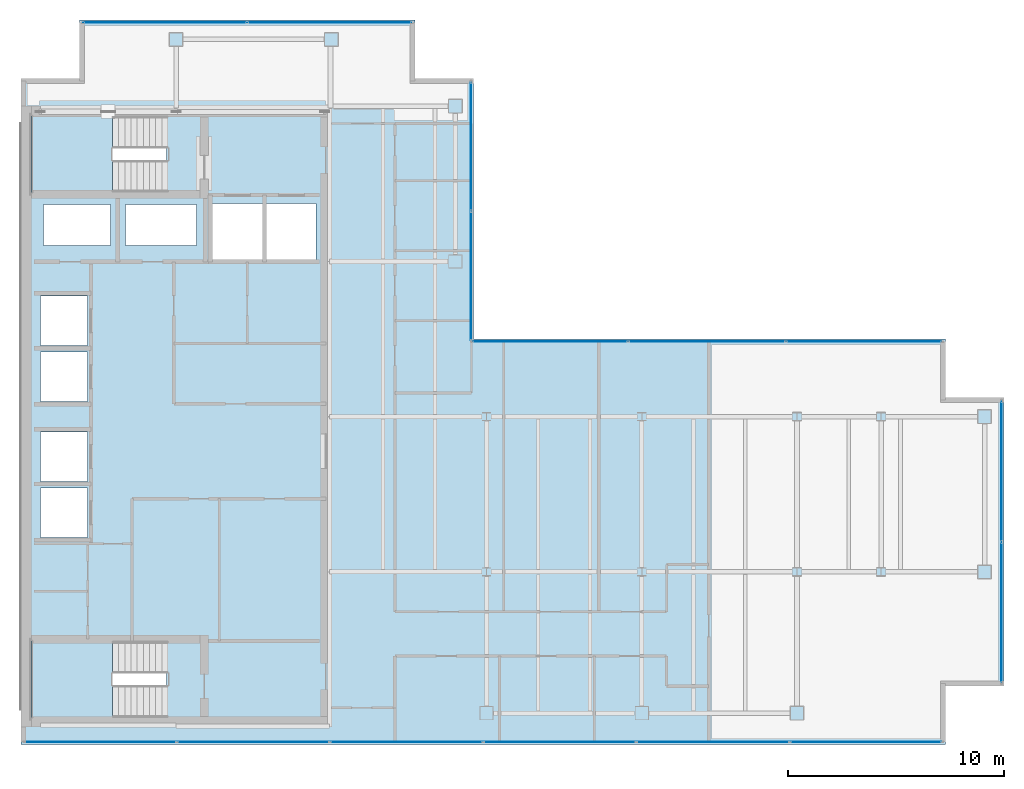
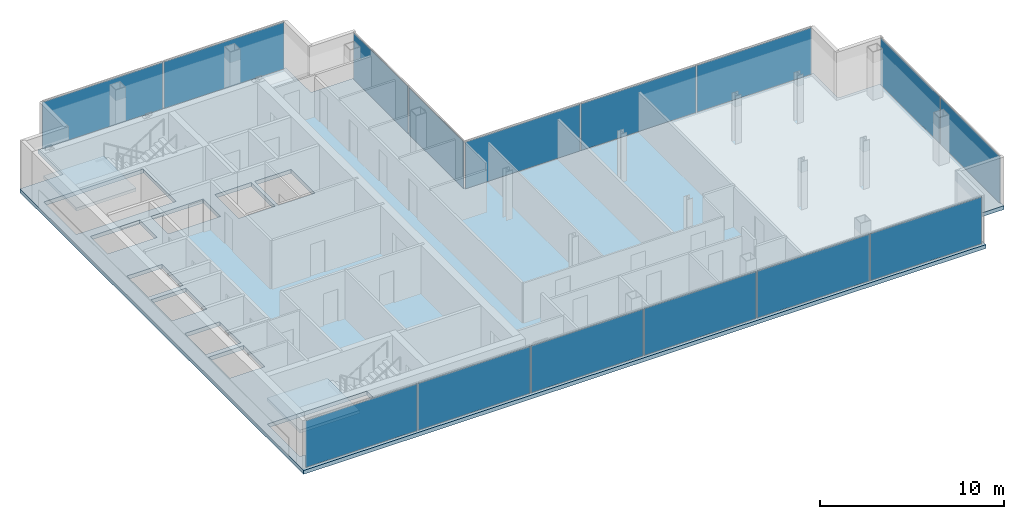
# One storey, part 19 of 23: 15 plates, 3 slabs, 10 openings, 7 elements without a shape of their own.
"""IFC4 building model written with IfcOpenShell, lengths in metres."""

from ifc_helpers import new_model, si_unit, direction, frame, origin, origin_2d, place, context, subcontext, project, spatial, polyline, rectangle, outline, extrude, material, layer, layer_set, type_object, element, aggregate, save


model = new_model("IFC4")

# Units and contexts
model_context = context("Model", 3, precision=1e-05, world=origin(), true_north=direction((0.0, 1.0)))
body_context = subcontext(model_context, "Body", "Model", "MODEL_VIEW")
ifc_project = project(units=[si_unit("LENGTHUNIT", "METRE"), si_unit("AREAUNIT", "SQUARE_METRE"), si_unit("VOLUMEUNIT", "CUBIC_METRE"), si_unit("PLANEANGLEUNIT", "RADIAN"), si_unit("MASSUNIT", "GRAM", prefix="KILO")], contexts=[model_context])

# Site, building, storey
site_placement = place(None, origin())
site = spatial("IfcSite", under=ifc_project, at=site_placement, CompositionType="ELEMENT")
building_placement = place(site_placement, origin())
building = spatial("IfcBuilding", under=site, at=building_placement, Name="Cobrela Telecom Tower", CompositionType="ELEMENT")
storey_placement = place(building_placement, frame((0.0, 0.0, 286.64990234375)))
storey = spatial("IfcBuildingStorey", under=building, at=storey_placement, Name="L75", CompositionType="ELEMENT", Elevation=286.64990234375)

# Curtain wall, plates
ifc_material_1 = material(Name="Anodized Bronze Aluminium 6063-T6", Category="aluminium")
curtain_wall_type = type_object("IfcCurtainWallType", Name="CW-SYS-OFF-HI", PredefinedType="USERDEFINED", material=ifc_material_1)
curtain_wall_1_placement = place(storey_placement, origin())
curtain_wall_1 = element("IfcCurtainWall", 1, at=curtain_wall_1_placement, inside=storey, type_object=curtain_wall_type, Name="L75 Unitised Bronze Curtain Wall 05", ObjectType="UNITISED CURTAIN WALL", PredefinedType="USERDEFINED")
ifc_material_2 = material(Name="Solar-Control Bronze Low-E Glass", Category="glass")
ifc_layer_1 = layer(ifc_material_2, 0.030029296875)
ifc_layer_set_1 = layer_set([ifc_layer_1], Name="Solar-Control Bronze Low-E Glass")
plate_type = type_object("IfcPlateType", Name="CW-SYS-OFF-HI-PNL", PredefinedType="CURTAIN_PANEL", material=ifc_layer_set_1)
plate_1_placement = place(storey_placement, frame((6.6826171875, 39.8798828125, 0.06494140625), z_axis=(0.0, 0.0, 1.0), x_axis=(1.0, 0.0, 0.0)))
plate_1 = element("IfcPlate", 2, at=plate_1_placement, type_object=plate_type, Name="CW-OFF-HI panel 1.1", PredefinedType="CURTAIN_PANEL", context=body_context, shape_type="SweptSolid", body=[
    extrude(rectangle(XDim=7.56494140625, YDim=0.030029296875, at=origin_2d()), origin(), (0.0, 0.0, 1.0), 3.110107421875),
])
plate_2_placement = place(storey_placement, frame((14.3173828125, 39.8798828125, 0.06494140625), z_axis=(0.0, 0.0, 1.0), x_axis=(1.0, 0.0, 0.0)))
plate_2 = element("IfcPlate", 3, at=plate_2_placement, type_object=plate_type, Name="CW-OFF-HI panel 2.1", PredefinedType="CURTAIN_PANEL", context=body_context, shape_type="SweptSolid", body=[
    extrude(rectangle(XDim=7.56494140625, YDim=0.030029296875, at=origin_2d()), origin(), (0.0, 0.0, 1.0), 3.110107421875),
])
aggregate(curtain_wall_1, [plate_1, plate_2])

curtain_wall_2_placement = place(storey_placement, origin())
curtain_wall_2 = element("IfcCurtainWall", 4, at=curtain_wall_2_placement, inside=storey, type_object=curtain_wall_type, Name="L75 Unitised Bronze Curtain Wall 08", ObjectType="UNITISED CURTAIN WALL", PredefinedType="USERDEFINED")
plate_3_placement = place(storey_placement, frame((20.8798828125, 34.1298828125, 0.06494140625), z_axis=(0.0, 0.0, 1.0), x_axis=(0.0, -1.0, 0.0)))
plate_3 = element("IfcPlate", 5, at=plate_3_placement, type_object=plate_type, Name="CW-OFF-HI panel 1.1", PredefinedType="CURTAIN_PANEL", context=body_context, shape_type="SweptSolid", body=[
    extrude(rectangle(XDim=5.93994140625, YDim=0.030029296875, at=origin_2d()), origin(), (0.0, 0.0, 1.0), 3.110107421875),
])
plate_4_placement = place(storey_placement, frame((20.8798828125, 28.1201171875, 0.06494140625), z_axis=(0.0, 0.0, 1.0), x_axis=(0.0, -1.0, 0.0)))
plate_4 = element("IfcPlate", 6, at=plate_4_placement, type_object=plate_type, Name="CW-OFF-HI panel 2.1", PredefinedType="CURTAIN_PANEL", context=body_context, shape_type="SweptSolid", body=[
    extrude(rectangle(XDim=5.93994140625, YDim=0.030029296875, at=origin_2d()), origin(), (0.0, 0.0, 1.0), 3.110107421875),
])
aggregate(curtain_wall_2, [plate_3, plate_4])

curtain_wall_3_placement = place(storey_placement, origin())
curtain_wall_3 = element("IfcCurtainWall", 7, at=curtain_wall_3_placement, inside=storey, type_object=curtain_wall_type, Name="L75 Unitised Bronze Curtain Wall 09", ObjectType="UNITISED CURTAIN WALL", PredefinedType="USERDEFINED")
plate_5_placement = place(storey_placement, frame((24.5458984375, 25.080078125, 0.06494140625), z_axis=(0.0, 0.0, 1.0), x_axis=(1.0, 0.0, 0.0)))
plate_5 = element("IfcPlate", 8, at=plate_5_placement, type_object=plate_type, Name="CW-OFF-HI panel 1.1", PredefinedType="CURTAIN_PANEL", context=body_context, shape_type="SweptSolid", body=[
    extrude(rectangle(XDim=7.191650390625, YDim=0.030029296875, at=origin_2d()), origin(), (0.0, 0.0, 1.0), 3.110107421875),
])
plate_6_placement = place(storey_placement, frame((31.824951171875, 25.080078125, 0.06494140625), z_axis=(0.0, 0.0, 1.0), x_axis=(1.0, 0.0, 0.0)))
plate_6 = element("IfcPlate", 9, at=plate_6_placement, type_object=plate_type, Name="CW-OFF-HI panel 2.1", PredefinedType="CURTAIN_PANEL", context=body_context, shape_type="SweptSolid", body=[
    extrude(rectangle(XDim=7.2265625, YDim=0.030029296875, at=origin_2d()), origin(), (0.0, 0.0, 1.0), 3.110107421875),
])
plate_7_placement = place(storey_placement, frame((39.104248046875, 25.080078125, 0.06494140625), z_axis=(0.0, 0.0, 1.0), x_axis=(1.0, 0.0, 0.0)))
plate_7 = element("IfcPlate", 10, at=plate_7_placement, type_object=plate_type, Name="CW-OFF-HI panel 3.1", PredefinedType="CURTAIN_PANEL", context=body_context, shape_type="SweptSolid", body=[
    extrude(rectangle(XDim=7.191650390625, YDim=0.030029296875, at=origin_2d()), origin(), (0.0, 0.0, 1.0), 3.110107421875),
])
aggregate(curtain_wall_3, [plate_5, plate_6, plate_7])

curtain_wall_4_placement = place(storey_placement, origin())
curtain_wall_4 = element("IfcCurtainWall", 11, at=curtain_wall_4_placement, inside=storey, type_object=curtain_wall_type, Name="L75 Unitised Bronze Curtain Wall 12", ObjectType="UNITISED CURTAIN WALL", PredefinedType="USERDEFINED")
plate_8_placement = place(storey_placement, frame((45.47998046875, 19.0673828125, 0.06494140625), z_axis=(0.0, 0.0, 1.0), x_axis=(0.0, -1.0, 0.0)))
plate_8 = element("IfcPlate", 12, at=plate_8_placement, type_object=plate_type, Name="CW-OFF-HI panel 1.1", PredefinedType="CURTAIN_PANEL", context=body_context, shape_type="SweptSolid", body=[
    extrude(rectangle(XDim=6.465087890625, YDim=0.030029296875, at=origin_2d()), origin(), (0.0, 0.0, 1.0), 3.110107421875),
])
plate_9_placement = place(storey_placement, frame((45.47998046875, 12.532470703125, 0.06494140625), z_axis=(0.0, 0.0, 1.0), x_axis=(0.0, -1.0, 0.0)))
plate_9 = element("IfcPlate", 13, at=plate_9_placement, type_object=plate_type, Name="CW-OFF-HI panel 2.1", PredefinedType="CURTAIN_PANEL", context=body_context, shape_type="SweptSolid", body=[
    extrude(rectangle(XDim=6.465087890625, YDim=0.030029296875, at=origin_2d()), origin(), (0.0, 0.0, 1.0), 3.110107421875),
])
aggregate(curtain_wall_4, [plate_8, plate_9])

curtain_wall_5_placement = place(storey_placement, origin())
curtain_wall_5 = element("IfcCurtainWall", 14, at=curtain_wall_5_placement, inside=storey, type_object=curtain_wall_type, Name="L75 Unitised Bronze Curtain Wall 15", ObjectType="UNITISED CURTAIN WALL", PredefinedType="USERDEFINED")
plate_10_placement = place(storey_placement, frame((39.1982421875, 6.52001953125, 0.06494140625), z_axis=(0.0, 0.0, 1.0), x_axis=(-1.0, 0.0, 0.0)))
plate_10 = element("IfcPlate", 15, at=plate_10_placement, type_object=plate_type, Name="CW-OFF-HI panel 1.1", PredefinedType="CURTAIN_PANEL", context=body_context, shape_type="SweptSolid", body=[
    extrude(rectangle(XDim=7.00341796875, YDim=0.030029296875, at=origin_2d()), origin(), (0.0, 0.0, 1.0), 3.110107421875),
])
plate_11_placement = place(storey_placement, frame((32.107421875, 6.52001953125, 0.06494140625), z_axis=(0.0, 0.0, 1.0), x_axis=(-1.0, 0.0, 0.0)))
plate_11 = element("IfcPlate", 16, at=plate_11_placement, type_object=plate_type, Name="CW-OFF-HI panel 2.1", PredefinedType="CURTAIN_PANEL", context=body_context, shape_type="SweptSolid", body=[
    extrude(rectangle(XDim=7.038330078125, YDim=0.030029296875, at=origin_2d()), origin(), (0.0, 0.0, 1.0), 3.110107421875),
])
plate_12_placement = place(storey_placement, frame((24.999267578125, 6.52001953125, 0.06494140625), z_axis=(0.0, 0.0, 1.0), x_axis=(-1.0, 0.0, 0.0)))
plate_12 = element("IfcPlate", 17, at=plate_12_placement, type_object=plate_type, Name="CW-OFF-HI panel 3.1", PredefinedType="CURTAIN_PANEL", context=body_context, shape_type="SweptSolid", body=[
    extrude(rectangle(XDim=7.038330078125, YDim=0.030029296875, at=origin_2d()), origin(), (0.0, 0.0, 1.0), 3.110107421875),
])
plate_13_placement = place(storey_placement, frame((17.890869140625, 6.52001953125, 0.06494140625), z_axis=(0.0, 0.0, 1.0), x_axis=(-1.0, 0.0, 0.0)))
plate_13 = element("IfcPlate", 18, at=plate_13_placement, type_object=plate_type, Name="CW-OFF-HI panel 4.1", PredefinedType="CURTAIN_PANEL", context=body_context, shape_type="SweptSolid", body=[
    extrude(rectangle(XDim=7.038330078125, YDim=0.030029296875, at=origin_2d()), origin(), (0.0, 0.0, 1.0), 3.110107421875),
])
plate_14_placement = place(storey_placement, frame((10.782470703125, 6.52001953125, 0.06494140625), z_axis=(0.0, 0.0, 1.0), x_axis=(-1.0, 0.0, 0.0)))
plate_14 = element("IfcPlate", 19, at=plate_14_placement, type_object=plate_type, Name="CW-OFF-HI panel 5.1", PredefinedType="CURTAIN_PANEL", context=body_context, shape_type="SweptSolid", body=[
    extrude(rectangle(XDim=7.038330078125, YDim=0.030029296875, at=origin_2d()), origin(), (0.0, 0.0, 1.0), 3.110107421875),
])
plate_15_placement = place(storey_placement, frame((3.691650390625, 6.52001953125, 0.06494140625), z_axis=(0.0, 0.0, 1.0), x_axis=(-1.0, 0.0, 0.0)))
plate_15 = element("IfcPlate", 20, at=plate_15_placement, type_object=plate_type, Name="CW-OFF-HI panel 6.1", PredefinedType="CURTAIN_PANEL", context=body_context, shape_type="SweptSolid", body=[
    extrude(rectangle(XDim=7.00341796875, YDim=0.030029296875, at=origin_2d()), origin(), (0.0, 0.0, 1.0), 3.110107421875),
])
aggregate(curtain_wall_5, [plate_10, plate_11, plate_12, plate_13, plate_14, plate_15])

# Slab, openings
ifc_material_3 = material(Name="Concrete C40/50", Category="concrete")
ifc_layer_2 = layer(ifc_material_3, 0.260009765625)
ifc_layer_set_2 = layer_set([ifc_layer_2], Name="Concrete C40/50")
slab_type_1 = type_object("IfcSlabType", Name="SLAB-FLR-260", PredefinedType="FLOOR", material=ifc_layer_set_2)
slab_1_placement = place(storey_placement, frame((0.0, 0.0, -0.260009765625)))
slab_1 = element("IfcSlab", 21, at=slab_1_placement, inside=storey, type_object=slab_type_1, Name="L75 Structural Floor Slab", PredefinedType="FLOOR", context=body_context, shape_type="SweptSolid", body=[
    extrude(outline(polyline([(0.0, 6.39990234375), (42.889892578125, 6.39990234375), (42.889892578125, 9.110107421875), (45.60009765625, 9.110107421875), (45.60009765625, 22.489990234375), (42.889892578125, 22.489990234375), (42.889892578125, 25.199951171875), (21.0, 25.199951171875), (21.0, 37.2900390625), (18.2900390625, 37.2900390625), (18.2900390625, 40.0), (2.7099609375, 40.0), (2.7099609375, 37.2900390625), (0.0, 37.2900390625), (0.0, 6.39990234375)])), origin(), (0.0, 0.0, 1.0), 0.260009765625),
])
opening_1_placement = place(slab_1_placement, frame((0.0, 0.0, -0.02001953125)))
element("IfcOpeningElement", 22, at=opening_1_placement, cuts=slab_1, Name="Slab Shaft Opening SLAB-L75-MAIN.1", PredefinedType="OPENING", context=body_context, shape_type="SweptSolid", body=[
    extrude(outline(polyline([(8.89990234375, 28.89990234375), (11.199951171875, 28.89990234375), (11.199951171875, 31.5), (8.89990234375, 31.5), (8.89990234375, 28.89990234375)])), origin(), (0.0, 0.0, 1.0), 0.300048828125),
])
opening_2_placement = place(slab_1_placement, frame((0.0, 0.0, -0.02001953125)))
element("IfcOpeningElement", 23, at=opening_2_placement, cuts=slab_1, Name="Slab Shaft Opening SLAB-L75-MAIN.2", PredefinedType="OPENING", context=body_context, shape_type="SweptSolid", body=[
    extrude(outline(polyline([(11.39990234375, 28.89990234375), (13.699951171875, 28.89990234375), (13.699951171875, 31.5), (11.39990234375, 31.5), (11.39990234375, 28.89990234375)])), origin(), (0.0, 0.0, 1.0), 0.300048828125),
])
opening_3_placement = place(slab_1_placement, frame((0.0, 0.0, -0.02001953125)))
element("IfcOpeningElement", 24, at=opening_3_placement, cuts=slab_1, Name="Slab Shaft Opening SLAB-L75-MAIN.3", PredefinedType="OPENING", context=body_context, shape_type="SweptSolid", body=[
    extrude(outline(polyline([(0.89990234375, 16.0), (3.10009765625, 16.0), (3.10009765625, 18.300048828125), (0.89990234375, 18.300048828125), (0.89990234375, 16.0)])), origin(), (0.0, 0.0, 1.0), 0.300048828125),
])
opening_4_placement = place(slab_1_placement, frame((0.0, 0.0, -0.02001953125)))
element("IfcOpeningElement", 25, at=opening_4_placement, cuts=slab_1, Name="Slab Shaft Opening SLAB-L75-MAIN.4", PredefinedType="OPENING", context=body_context, shape_type="SweptSolid", body=[
    extrude(outline(polyline([(0.89990234375, 18.60009765625), (3.10009765625, 18.60009765625), (3.10009765625, 20.89990234375), (0.89990234375, 20.89990234375), (0.89990234375, 18.60009765625)])), origin(), (0.0, 0.0, 1.0), 0.300048828125),
])
opening_5_placement = place(slab_1_placement, frame((0.0, 0.0, -0.02001953125)))
element("IfcOpeningElement", 26, at=opening_5_placement, cuts=slab_1, Name="Slab Shaft Opening SLAB-L75-MAIN.5", PredefinedType="OPENING", context=body_context, shape_type="SweptSolid", body=[
    extrude(outline(polyline([(0.89990234375, 22.300048828125), (3.10009765625, 22.300048828125), (3.10009765625, 24.60009765625), (0.89990234375, 24.60009765625), (0.89990234375, 22.300048828125)])), origin(), (0.0, 0.0, 1.0), 0.300048828125),
])
opening_6_placement = place(slab_1_placement, frame((0.0, 0.0, -0.02001953125)))
element("IfcOpeningElement", 27, at=opening_6_placement, cuts=slab_1, Name="Slab Shaft Opening SLAB-L75-MAIN.6", PredefinedType="OPENING", context=body_context, shape_type="SweptSolid", body=[
    extrude(outline(polyline([(0.89990234375, 24.89990234375), (3.10009765625, 24.89990234375), (3.10009765625, 27.199951171875), (0.89990234375, 27.199951171875), (0.89990234375, 24.89990234375)])), origin(), (0.0, 0.0, 1.0), 0.300048828125),
])
opening_7_placement = place(slab_1_placement, frame((0.0, 0.0, -0.02001953125)))
element("IfcOpeningElement", 28, at=opening_7_placement, cuts=slab_1, Name="Slab Shaft Opening SLAB-L75-MAIN.7", PredefinedType="OPENING", context=body_context, shape_type="SweptSolid", body=[
    extrude(outline(polyline([(1.050048828125, 29.550048828125), (4.14990234375, 29.550048828125), (4.14990234375, 31.449951171875), (1.050048828125, 31.449951171875), (1.050048828125, 29.550048828125)])), origin(), (0.0, 0.0, 1.0), 0.300048828125),
])
opening_8_placement = place(slab_1_placement, frame((0.0, 0.0, -0.02001953125)))
element("IfcOpeningElement", 29, at=opening_8_placement, cuts=slab_1, Name="Slab Shaft Opening SLAB-L75-MAIN.8", PredefinedType="OPENING", context=body_context, shape_type="SweptSolid", body=[
    extrude(outline(polyline([(4.85009765625, 29.550048828125), (8.14990234375, 29.550048828125), (8.14990234375, 31.449951171875), (4.85009765625, 31.449951171875), (4.85009765625, 29.550048828125)])), origin(), (0.0, 0.0, 1.0), 0.300048828125),
])
opening_9_placement = place(slab_1_placement, frame((0.0, 0.0, -0.02001953125)))
element("IfcOpeningElement", 30, at=opening_9_placement, cuts=slab_1, Name="Slab Shaft Opening SLAB-L75-MAIN.9", PredefinedType="OPENING", context=body_context, shape_type="SweptSolid", body=[
    extrude(outline(polyline([(6.7548828125, 35.550048828125), (0.47998046875, 35.550048828125), (0.47998046875, 32.0), (6.7548828125, 32.0), (6.7548828125, 35.550048828125)])), origin(), (0.0, 0.0, 1.0), 0.300048828125),
])
opening_10_placement = place(slab_1_placement, frame((0.0, 0.0, -0.02001953125)))
element("IfcOpeningElement", 31, at=opening_10_placement, cuts=slab_1, Name="Slab Shaft Opening SLAB-L75-MAIN.10", PredefinedType="OPENING", context=body_context, shape_type="SweptSolid", body=[
    extrude(outline(polyline([(6.7548828125, 11.199951171875), (0.47998046875, 11.199951171875), (0.47998046875, 7.64990234375), (6.7548828125, 7.64990234375), (6.7548828125, 11.199951171875)])), origin(), (0.0, 0.0, 1.0), 0.300048828125),
])

# Stair, slab
stair_type = type_object("IfcStairType", Name="STAIR-CORE", PredefinedType="HALF_TURN_STAIR", material=ifc_material_3)
stair_1_placement = place(storey_placement, origin())
stair_1 = element("IfcStair", 32, at=stair_1_placement, inside=storey, type_object=stair_type, Name="L75 Smokeproof Exit Stair ST1", PredefinedType="HALF_TURN_STAIR")
ifc_layer_3 = layer(ifc_material_3, 0.199951171875)
ifc_layer_set_3 = layer_set([ifc_layer_3], Name="Concrete C40/50")
slab_type_2 = type_object("IfcSlabType", Name="SLAB-LAND-200", PredefinedType="LANDING", material=ifc_layer_set_3)
slab_2_placement = place(storey_placement, frame((0.0, 0.0, 1.550048828125)))
slab_2 = element("IfcSlab", 33, at=slab_2_placement, type_object=slab_type_2, Name="ST1 landing 1", PredefinedType="LANDING", context=body_context, shape_type="SweptSolid", body=[
    extrude(outline(polyline([(4.2548828125, 35.550048828125), (0.47998046875, 35.550048828125), (0.47998046875, 32.0), (4.2548828125, 32.0), (4.2548828125, 35.550048828125)])), origin(), (0.0, 0.0, 1.0), 0.199951171875),
])
aggregate(stair_1, [slab_2])

stair_2_placement = place(storey_placement, origin())
stair_2 = element("IfcStair", 34, at=stair_2_placement, inside=storey, type_object=stair_type, Name="L75 Smokeproof Exit Stair ST2", PredefinedType="HALF_TURN_STAIR")
slab_3_placement = place(storey_placement, frame((0.0, 0.0, 1.550048828125)))
slab_3 = element("IfcSlab", 35, at=slab_3_placement, type_object=slab_type_2, Name="ST2 landing 1", PredefinedType="LANDING", context=body_context, shape_type="SweptSolid", body=[
    extrude(outline(polyline([(4.2548828125, 11.199951171875), (0.47998046875, 11.199951171875), (0.47998046875, 7.64990234375), (4.2548828125, 7.64990234375), (4.2548828125, 11.199951171875)])), origin(), (0.0, 0.0, 1.0), 0.199951171875),
])
aggregate(stair_2, [slab_3])

save(model, "model.ifc")
